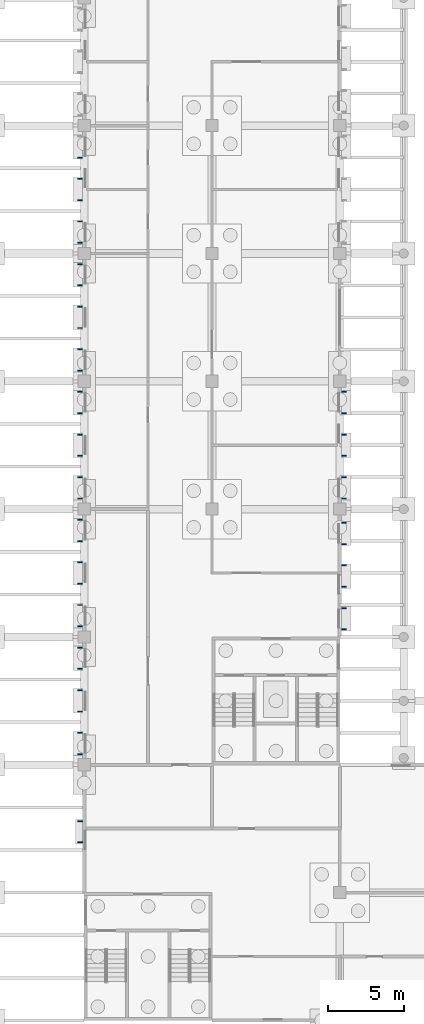
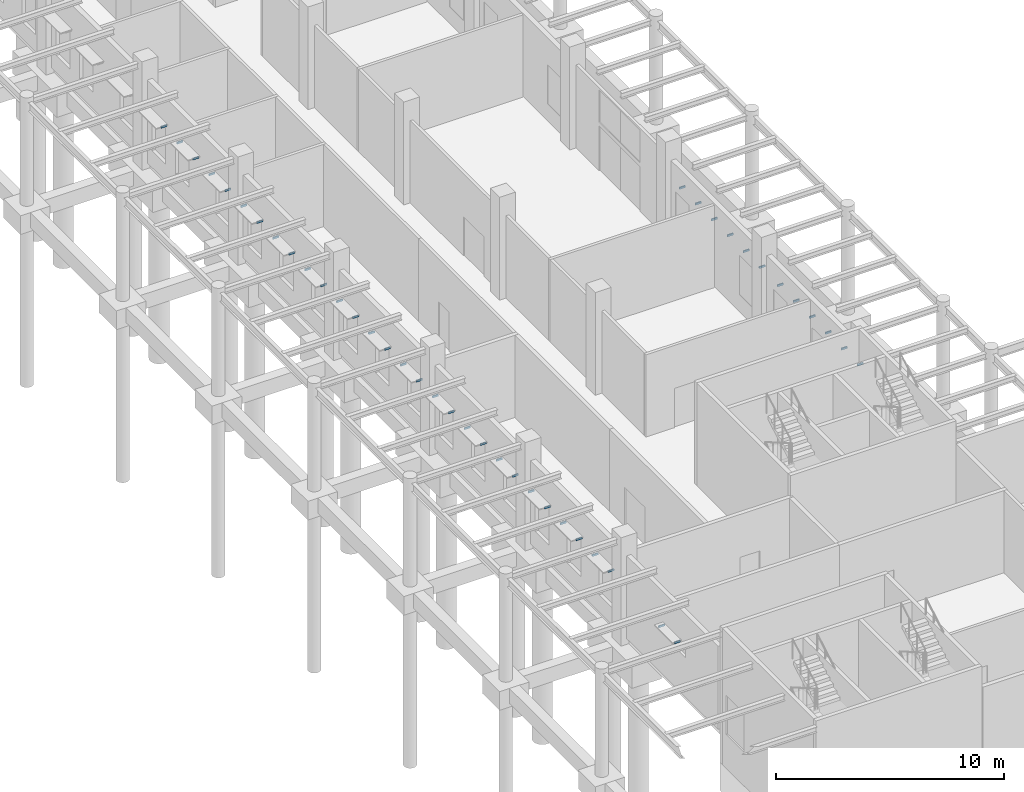
# One storey, part 49 of 82: 43 discrete accessories.
"""IFC4 building model written with IfcOpenShell, lengths in metres."""

from ifc_helpers import new_model, si_unit, direction, frame, origin, origin_2d, place, context, subcontext, project, spatial, rectangle, extrude, material, type_object, element, save


model = new_model("IFC4")

# Units and contexts
model_context = context("Model", 3, precision=1e-05, world=origin(), true_north=direction((0.0, 1.0)))
body_context = subcontext(model_context, "Body", "Model", "MODEL_VIEW")
ifc_project = project(units=[si_unit("LENGTHUNIT", "METRE"), si_unit("AREAUNIT", "SQUARE_METRE"), si_unit("VOLUMEUNIT", "CUBIC_METRE"), si_unit("PLANEANGLEUNIT", "RADIAN"), si_unit("MASSUNIT", "GRAM", prefix="KILO")], contexts=[model_context])

# Site, building, storey
site_placement = place(None, origin())
site = spatial("IfcSite", under=ifc_project, at=site_placement, CompositionType="ELEMENT")
building_placement = place(site_placement, origin())
building = spatial("IfcBuilding", under=site, at=building_placement, Name="Almond Square Museum", CompositionType="ELEMENT")
storey_placement = place(building_placement, origin())
storey = spatial("IfcBuildingStorey", under=building, at=storey_placement, Name="L00", CompositionType="ELEMENT", Elevation=0.0)

# Discrete accessories
ifc_material = material(Name="Stainless steel", Category="steel")
discrete_accessory_type = type_object("IfcDiscreteAccessoryType", Name="Sun-shade blade bracket", PredefinedType="BRACKET", material=ifc_material)
for number, where, z_axis, x_axis, name in (
    (1, (23.072998046875, 25.699951171875, 2.9970703125), (0.0, 0.0, 1.0), (1.0, 0.0, 0.0), "Bracket sun-shade blade"),
    (2, (23.072998046875, 27.10009765625, 2.9970703125), (0.0, 0.0, 1.0), (1.0, 0.0, 0.0), "Bracket sun-shade blade"),
    (3, (23.072998046875, 28.5, 2.9970703125), (0.0, 0.0, 1.0), (1.0, 0.0, 0.0), "Bracket sun-shade blade"),
    (4, (23.072998046875, 29.89990234375, 2.9970703125), (0.0, 0.0, 1.0), (1.0, 0.0, 0.0), "Bracket sun-shade blade"),
    (5, (23.072998046875, 31.300048828125, 2.9970703125), (0.0, 0.0, 1.0), (1.0, 0.0, 0.0), "Bracket sun-shade blade"),
    (6, (23.072998046875, 32.699951171875, 2.9970703125), (0.0, 0.0, 1.0), (1.0, 0.0, 0.0), "Bracket sun-shade blade"),
    (7, (23.072998046875, 34.300048828125, 2.9970703125), (0.0, 0.0, 1.0), (1.0, 0.0, 0.0), "Bracket sun-shade blade"),
    (8, (23.072998046875, 35.699951171875, 2.9970703125), (0.0, 0.0, 1.0), (1.0, 0.0, 0.0), "Bracket sun-shade blade"),
    (9, (23.072998046875, 37.10009765625, 2.9970703125), (0.0, 0.0, 1.0), (1.0, 0.0, 0.0), "Bracket sun-shade blade"),
    (10, (23.072998046875, 38.5, 2.9970703125), (0.0, 0.0, 1.0), (1.0, 0.0, 0.0), "Bracket sun-shade blade"),
    (11, (23.072998046875, 39.89990234375, 2.9970703125), (0.0, 0.0, 1.0), (1.0, 0.0, 0.0), "Bracket sun-shade blade"),
    (12, (23.072998046875, 41.300048828125, 2.9970703125), (0.0, 0.0, 1.0), (1.0, 0.0, 0.0), "Bracket sun-shade blade"),
    (13, (5.72705078125, 51.10009765625, 2.9970703125), (0.0, 0.0, 1.0), (1.0, 0.0, 0.0), "Bracket sun-shade blade"),
    (14, (5.72705078125, 52.5, 2.9970703125), (0.0, 0.0, 1.0), (1.0, 0.0, 0.0), "Bracket sun-shade blade"),
    (15, (5.72705078125, 53.89990234375, 2.9970703125), (0.0, 0.0, 1.0), (1.0, 0.0, 0.0), "Bracket sun-shade blade"),
    (16, (5.72705078125, 55.300048828125, 2.9970703125), (0.0, 0.0, 1.0), (1.0, 0.0, 0.0), "Bracket sun-shade blade"),
    (17, (5.72705078125, 56.699951171875, 2.9970703125), (0.0, 0.0, 1.0), (1.0, 0.0, 0.0), "Bracket sun-shade blade"),
    (18, (5.72705078125, 42.699951171875, 2.9970703125), (0.0, 0.0, 1.0), (1.0, 0.0, 0.0), "Bracket sun-shade blade"),
    (19, (5.72705078125, 44.10009765625, 2.9970703125), (0.0, 0.0, 1.0), (1.0, 0.0, 0.0), "Bracket sun-shade blade"),
    (20, (5.72705078125, 45.5, 2.9970703125), (0.0, 0.0, 1.0), (1.0, 0.0, 0.0), "Bracket sun-shade blade"),
    (21, (5.72705078125, 46.89990234375, 2.9970703125), (0.0, 0.0, 1.0), (1.0, 0.0, 0.0), "Bracket sun-shade blade"),
    (22, (5.72705078125, 48.300048828125, 2.9970703125), (0.0, 0.0, 1.0), (1.0, 0.0, 0.0), "Bracket sun-shade blade"),
    (23, (5.72705078125, 49.699951171875, 2.9970703125), (0.0, 0.0, 1.0), (1.0, 0.0, 0.0), "Bracket sun-shade blade"),
    (24, (5.72705078125, 34.300048828125, 2.9970703125), (0.0, 0.0, 1.0), (1.0, 0.0, 0.0), "Bracket sun-shade blade"),
    (25, (5.72705078125, 35.699951171875, 2.9970703125), (0.0, 0.0, 1.0), (1.0, 0.0, 0.0), "Bracket sun-shade blade"),
    (26, (5.72705078125, 37.10009765625, 2.9970703125), (0.0, 0.0, 1.0), (1.0, 0.0, 0.0), "Bracket sun-shade blade"),
    (27, (5.72705078125, 38.5, 2.9970703125), (0.0, 0.0, 1.0), (1.0, 0.0, 0.0), "Bracket sun-shade blade"),
    (28, (5.72705078125, 39.89990234375, 2.9970703125), (0.0, 0.0, 1.0), (1.0, 0.0, 0.0), "Bracket sun-shade blade"),
    (29, (5.72705078125, 41.300048828125, 2.9970703125), (0.0, 0.0, 1.0), (1.0, 0.0, 0.0), "Bracket sun-shade blade"),
    (30, (5.72705078125, 25.89990234375, 2.9970703125), (0.0, 0.0, 1.0), (1.0, 0.0, 0.0), "Bracket sun-shade blade"),
    (31, (5.72705078125, 27.300048828125, 2.9970703125), (0.0, 0.0, 1.0), (1.0, 0.0, 0.0), "Bracket sun-shade blade"),
    (32, (5.72705078125, 28.699951171875, 2.9970703125), (0.0, 0.0, 1.0), (1.0, 0.0, 0.0), "Bracket sun-shade blade"),
    (33, (5.72705078125, 30.10009765625, 2.9970703125), (0.0, 0.0, 1.0), (1.0, 0.0, 0.0), "Bracket sun-shade blade"),
    (34, (5.72705078125, 31.5, 2.9970703125), (0.0, 0.0, 1.0), (1.0, 0.0, 0.0), "Bracket sun-shade blade"),
    (35, (5.72705078125, 32.89990234375, 2.9970703125), (0.0, 0.0, 1.0), (1.0, 0.0, 0.0), "Bracket sun-shade blade"),
    (36, (5.72705078125, 17.5, 2.9970703125), (0.0, 0.0, 1.0), (1.0, 0.0, 0.0), "Bracket sun-shade blade"),
    (37, (5.72705078125, 18.89990234375, 2.9970703125), (0.0, 0.0, 1.0), (1.0, 0.0, 0.0), "Bracket sun-shade blade"),
    (38, (5.72705078125, 20.300048828125, 2.9970703125), (0.0, 0.0, 1.0), (1.0, 0.0, 0.0), "Bracket sun-shade blade"),
    (39, (5.72705078125, 21.699951171875, 2.9970703125), (0.0, 0.0, 1.0), (1.0, 0.0, 0.0), "Bracket sun-shade blade"),
    (40, (5.72705078125, 23.10009765625, 2.9970703125), (0.0, 0.0, 1.0), (1.0, 0.0, 0.0), "Bracket sun-shade blade"),
    (41, (5.72705078125, 24.5, 2.9970703125), (0.0, 0.0, 1.0), (1.0, 0.0, 0.0), "Bracket sun-shade blade"),
    (42, (5.741943359375, 11.699951171875, 2.697021484375), (0.0, 0.0, 1.0), (1.0, 0.0, 0.0), "Bracket sun-shade blade"),
    (43, (5.741943359375, 13.10009765625, 2.697021484375), (0.0, 0.0, 1.0), (1.0, 0.0, 0.0), "Bracket sun-shade blade"),
):
    element("IfcDiscreteAccessory", number, at=place(storey_placement, frame(where, z_axis=z_axis, x_axis=x_axis)), inside=storey, type_object=discrete_accessory_type, Name=name, PredefinedType="BRACKET", context=body_context, shape_type="SweptSolid", body=[
        extrude(rectangle(XDim=0.300048828125, YDim=0.06005859375, at=origin_2d()), origin(), (0.0, 0.0, 1.0), 0.10009765625),
    ])

save(model, "model.ifc")
